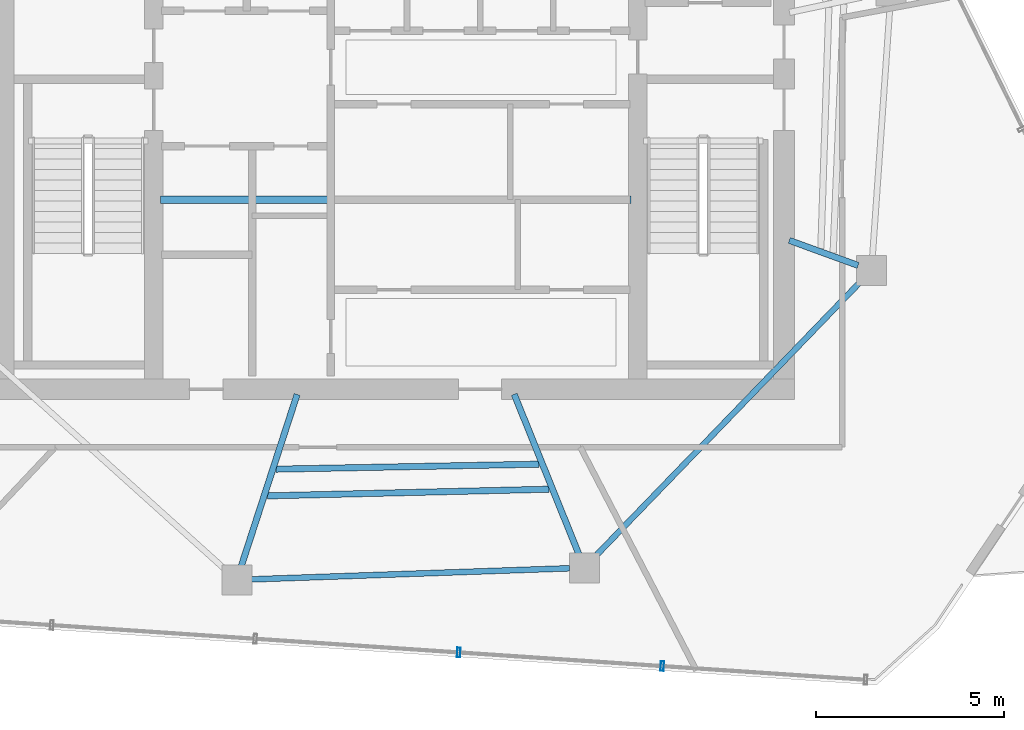
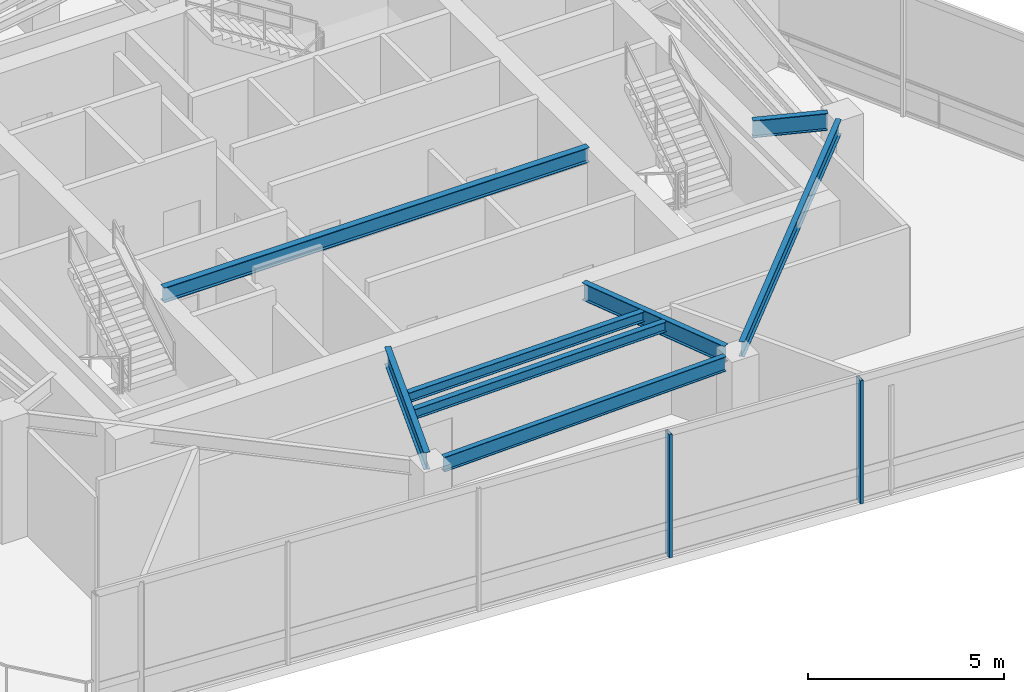
# One storey, part 4 of 18: 8 beams, 2 members, 1 element without a shape of its own.
"""IFC4 building model written with IfcOpenShell, lengths in metres."""

from ifc_helpers import new_model, si_unit, direction, frame, origin, origin_2d, place, context, subcontext, project, spatial, hollow_rectangle, i_section, extrude, material, layer, layer_set, material_profile, profile_set, type_object, element, aggregate, save


model = new_model("IFC4")

# Units and contexts
model_context = context("Model", 3, precision=1e-05, world=origin(), true_north=direction((0.0, 1.0)))
body_context = subcontext(model_context, "Body", "Model", "MODEL_VIEW")
ifc_project = project(units=[si_unit("LENGTHUNIT", "METRE"), si_unit("AREAUNIT", "SQUARE_METRE"), si_unit("VOLUMEUNIT", "CUBIC_METRE"), si_unit("PLANEANGLEUNIT", "RADIAN"), si_unit("MASSUNIT", "GRAM", prefix="KILO")], contexts=[model_context])

# Site, building, storey
site_placement = place(None, origin())
site = spatial("IfcSite", under=ifc_project, at=site_placement, CompositionType="ELEMENT")
building_placement = place(site_placement, origin())
building = spatial("IfcBuilding", under=site, at=building_placement, Name="Qarnah Convention Tower", CompositionType="ELEMENT")
storey_placement = place(building_placement, frame((0.0, 0.0, 279.300048828125)))
storey = spatial("IfcBuildingStorey", under=building, at=storey_placement, Name="L75", CompositionType="ELEMENT", Elevation=279.300048828125)

# Beams
ifc_material_1 = material(Name="Structural steel S355JR", Category="steel")
ifc_material_profile_1 = material_profile(ifc_material_1, i_section(OverallWidth=0.19189453125, OverallDepth=0.464111328125, WebThickness=0.010986328125, FlangeThickness=0.01806640625, at=origin_2d()), Name="W460X89")
ifc_profile_set_1 = profile_set([ifc_material_profile_1], Name="Structural steel S355JR")
beam_type_1 = type_object("IfcBeamType", Name="BM-CANT-W460A", PredefinedType="BEAM", material=ifc_profile_set_1)
beam_1_placement = place(storey_placement, frame((30.97998046875, 23.64990234375, 3.60791015625), z_axis=(1.0, 0.0, 0.0), x_axis=(0.0, 1.0, 0.0)))
element("IfcBeam", 1, at=beam_1_placement, inside=storey, type_object=beam_type_1, Name="L75 beam BM-L75-KC1", PredefinedType="BEAM", context=body_context, shape_type="SweptSolid", body=[
    extrude(i_section(OverallWidth=0.19189453125, OverallDepth=0.464111328125, WebThickness=0.010986328125, FlangeThickness=0.01806640625, at=origin_2d()), origin(), (0.0, 0.0, 1.0), 12.5400390625),
])
ifc_material_profile_2 = material_profile(ifc_material_1, i_section(OverallWidth=0.166015625, OverallDepth=0.31201171875, WebThickness=0.007080078125, FlangeThickness=0.010986328125, at=origin_2d()), Name="W310X45")
ifc_profile_set_2 = profile_set([ifc_material_profile_2], Name="Structural steel S355JR")
beam_type_2 = type_object("IfcBeamType", Name="BM-JST-W310", PredefinedType="JOIST", material=ifc_profile_set_2)
beam_2_placement = place(storey_placement, frame((33.830078125, 15.7529296875, 3.683837890625), z_axis=(0.999719227752, 0.023695266672, 0.0), x_axis=(-0.023695266672, 0.999719227752, 0.0)))
element("IfcBeam", 2, at=beam_2_placement, inside=storey, type_object=beam_type_2, Name="L75 joist BM-L75-SJST-07", PredefinedType="JOIST", context=body_context, shape_type="SweptSolid", body=[
    extrude(i_section(OverallWidth=0.166015625, OverallDepth=0.31201171875, WebThickness=0.007080078125, FlangeThickness=0.010986328125, at=origin_2d()), origin(), (0.0, 0.0, 1.0), 7.51123046875),
])
beam_3_placement = place(storey_placement, frame((34.06201171875, 16.465087890625, 3.683837890625), z_axis=(0.999820470535, 0.01894799986, 0.0), x_axis=(-0.01894799986, 0.999820470535, 0.0)))
element("IfcBeam", 3, at=beam_3_placement, inside=storey, type_object=beam_type_2, Name="L75 joist BM-L75-IJST-07", PredefinedType="JOIST", context=body_context, shape_type="SweptSolid", body=[
    extrude(i_section(OverallWidth=0.166015625, OverallDepth=0.31201171875, WebThickness=0.007080078125, FlangeThickness=0.010986328125, at=origin_2d()), origin(), (0.0, 0.0, 1.0), 7.00927734375),
])
ifc_material_profile_3 = material_profile(ifc_material_1, i_section(OverallWidth=0.166015625, OverallDepth=0.535888671875, WebThickness=0.010009765625, FlangeThickness=0.01708984375, at=origin_2d()), Name="W530X85")
ifc_profile_set_3 = profile_set([ifc_material_profile_3], Name="Structural steel S355JR")
beam_type_3 = type_object("IfcBeamType", Name="BM-RAD-W530B", PredefinedType="BEAM", material=ifc_profile_set_3)
beam_4_placement = place(storey_placement, frame((34.6201171875, 18.45703125, 3.572021484375), z_axis=(-0.309228111383, -0.950987894313, 0.0), x_axis=(0.950987894313, -0.309228111383, 0.0)))
element("IfcBeam", 4, at=beam_4_placement, inside=storey, type_object=beam_type_3, Name="L75 beam BM-L75-RAD-07", PredefinedType="BEAM", context=body_context, shape_type="SweptSolid", body=[
    extrude(i_section(OverallWidth=0.166015625, OverallDepth=0.535888671875, WebThickness=0.010009765625, FlangeThickness=0.01708984375, at=origin_2d()), origin(), (0.0, 0.0, 1.0), 4.819091796875),
])
beam_5_placement = place(storey_placement, frame((40.407958984375, 18.4609375, 3.572021484375), z_axis=(0.374622495532, -0.927177429536, 0.0), x_axis=(0.927177429536, 0.374622495532, 0.0)))
element("IfcBeam", 5, at=beam_5_placement, inside=storey, type_object=beam_type_3, Name="L75 beam BM-L75-RAD-08", PredefinedType="BEAM", context=body_context, shape_type="SweptSolid", body=[
    extrude(i_section(OverallWidth=0.166015625, OverallDepth=0.535888671875, WebThickness=0.010009765625, FlangeThickness=0.01708984375, at=origin_2d()), origin(), (0.0, 0.0, 1.0), 4.607421875),
])
beam_6_placement = place(storey_placement, frame((47.740966796875, 22.56396484375, 3.572021484375), z_axis=(0.93967655832, -0.342064271363, 0.0), x_axis=(0.342064271363, 0.93967655832, 0.0)))
element("IfcBeam", 6, at=beam_6_placement, inside=storey, type_object=beam_type_3, Name="L75 beam BM-L75-RAD-09", PredefinedType="BEAM", context=body_context, shape_type="SweptSolid", body=[
    extrude(i_section(OverallWidth=0.166015625, OverallDepth=0.535888671875, WebThickness=0.010009765625, FlangeThickness=0.01708984375, at=origin_2d()), origin(), (0.0, 0.0, 1.0), 1.95263671875),
])
ifc_material_profile_4 = material_profile(ifc_material_1, i_section(OverallWidth=0.154052734375, OverallDepth=0.4599609375, WebThickness=0.009033203125, FlangeThickness=0.014892578125, at=origin_2d()), Name="W460X68")
ifc_profile_set_4 = profile_set([ifc_material_profile_4], Name="Structural steel S355JR")
beam_type_4 = type_object("IfcBeamType", Name="BM-SPN-W460B", PredefinedType="SPANDREL", material=ifc_profile_set_4)
beam_7_placement = place(storey_placement, frame((33.403076171875, 13.527099609375, 3.60986328125), z_axis=(0.999392187652, 0.034860511467, 0.0), x_axis=(-0.034860511467, 0.999392187652, 0.0)))
element("IfcBeam", 7, at=beam_7_placement, inside=storey, type_object=beam_type_4, Name="L75 spandrel BM-L75-SPN-07", PredefinedType="SPANDREL", context=body_context, shape_type="SweptSolid", body=[
    extrude(i_section(OverallWidth=0.154052734375, OverallDepth=0.4599609375, WebThickness=0.009033203125, FlangeThickness=0.014892578125, at=origin_2d()), origin(), (0.0, 0.0, 1.0), 8.488037109375),
])
beam_8_placement = place(storey_placement, frame((42.547119140625, 14.117919921875, 3.60986328125), z_axis=(0.694687671008, 0.719311503974, 0.0), x_axis=(-0.719311503974, 0.694687671008, 0.0)))
element("IfcBeam", 8, at=beam_8_placement, inside=storey, type_object=beam_type_4, Name="L75 spandrel BM-L75-SPN-08", PredefinedType="SPANDREL", context=body_context, shape_type="SweptSolid", body=[
    extrude(i_section(OverallWidth=0.154052734375, OverallDepth=0.4599609375, WebThickness=0.009033203125, FlangeThickness=0.014892578125, at=origin_2d()), origin(), (0.0, 0.0, 1.0), 10.241943359375),
])

# Curtain wall, members
ifc_material_2 = material(Name="Tempered Low-E dark glass", Category="glass")
ifc_layer = layer(ifc_material_2, 0.177978515625)
ifc_layer_set = layer_set([ifc_layer], Name="Tempered Low-E dark glass")
curtain_wall_type = type_object("IfcCurtainWallType", Name="CWS-06", PredefinedType="NOTDEFINED", material=ifc_layer_set)
curtain_wall_placement = place(storey_placement, origin())
curtain_wall = element("IfcCurtainWall", 9, at=curtain_wall_placement, inside=storey, type_object=curtain_wall_type, Name="L75 unitised curtain wall CW-L75-F3", PredefinedType="NOTDEFINED")
ifc_material_3 = material(Name="Black anodised aluminium", Category="aluminium")
ifc_material_profile_5 = material_profile(ifc_material_3, hollow_rectangle(XDim=0.0849609375, YDim=0.260009765625, WallThickness=0.006103515625, at=origin_2d()), Name="MUL-85X260")
ifc_profile_set_5 = profile_set([ifc_material_profile_5], Name="Black anodised aluminium")
member_type = type_object("IfcMemberType", Name="MUL-T6", PredefinedType="MULLION", material=ifc_profile_set_5)
member_1_placement = place(storey_placement, frame((44.354248046875, 11.215087890625, 0.0), z_axis=(0.0, 0.0, 1.0), x_axis=(-0.997753961252, 0.066985317843, 0.0)))
member_1 = element("IfcMember", 10, at=member_1_placement, type_object=member_type, Name="CW-L75-F3 mullion 2", PredefinedType="MULLION", context=body_context, shape_type="SweptSolid", body=[
    extrude(hollow_rectangle(XDim=0.0849609375, YDim=0.260009765625, WallThickness=0.006103515625, at=origin_2d()), origin(), (0.0, 0.0, 1.0), 3.83984375),
])
member_2_placement = place(storey_placement, frame((38.929443359375, 11.579345703125, 0.0), z_axis=(0.0, 0.0, 1.0), x_axis=(-0.997753961252, 0.066985317843, 0.0)))
member_2 = element("IfcMember", 11, at=member_2_placement, type_object=member_type, Name="CW-L75-F3 mullion 3", PredefinedType="MULLION", context=body_context, shape_type="SweptSolid", body=[
    extrude(hollow_rectangle(XDim=0.0849609375, YDim=0.260009765625, WallThickness=0.006103515625, at=origin_2d()), origin(), (0.0, 0.0, 1.0), 3.83984375),
])
aggregate(curtain_wall, [member_1, member_2])

save(model, "model.ifc")
